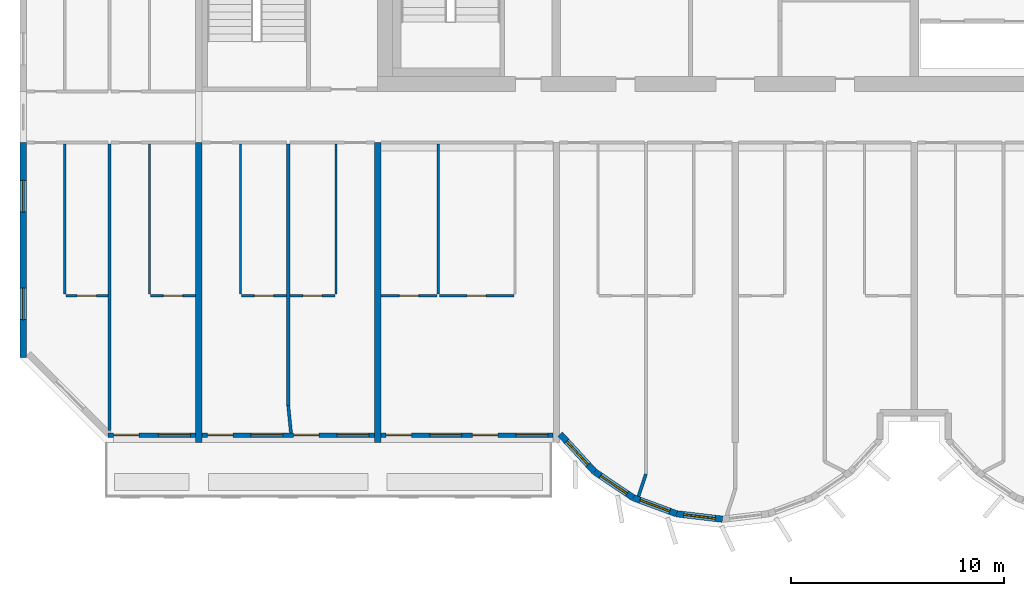
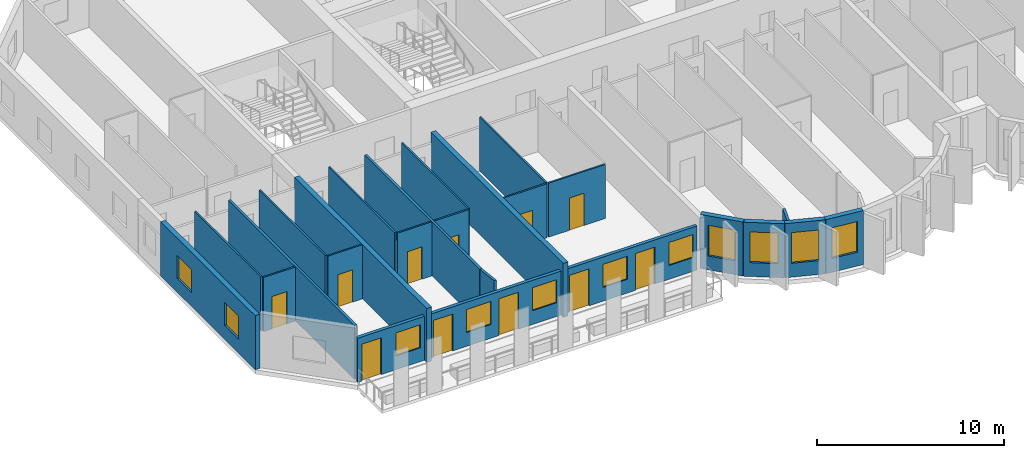
# One storey, part 2 of 13: 25 walls, 11 doors, 11 windows, 22 openings.
"""IFC4 building model written with IfcOpenShell, lengths in metres."""

from ifc_helpers import new_model, si_unit, direction, frame, frame_2d, origin, place, context, subcontext, project, spatial, rectangle, extrude, source, transform, mapped, material, layer, layer_set, type_object, element, fill, save


model = new_model("IFC4")

# Units and contexts
model_context = context("Model", 3, precision=1e-05, world=origin(), true_north=direction((0.0, 1.0)))
body_context = subcontext(model_context, "Body", "Model", "MODEL_VIEW")
ifc_project = project(units=[si_unit("LENGTHUNIT", "METRE"), si_unit("AREAUNIT", "SQUARE_METRE"), si_unit("VOLUMEUNIT", "CUBIC_METRE"), si_unit("PLANEANGLEUNIT", "RADIAN"), si_unit("MASSUNIT", "GRAM", prefix="KILO")], contexts=[model_context])

# Site, building, storey
site_placement = place(None, origin())
site = spatial("IfcSite", under=ifc_project, at=site_placement, CompositionType="ELEMENT")
building_placement = place(site_placement, origin())
building = spatial("IfcBuilding", under=site, at=building_placement, Name="Vanashikhar Sky Hotel", CompositionType="ELEMENT")
storey_placement = place(building_placement, frame((0.0, 0.0, 182.0)))
storey = spatial("IfcBuildingStorey", under=building, at=storey_placement, Name="L44", CompositionType="ELEMENT", Elevation=182.0)

# Wall, openings, windows
ifc_material_1 = material(Name="Concrete M60", Category="concrete")
ifc_layer_1 = layer(ifc_material_1, 0.300048828125)
ifc_layer_set_1 = layer_set([ifc_layer_1], Name="RC shear wall 300 Concrete M60")
wall_type_1 = type_object("IfcWallType", Name="RC shear wall 300 Concrete M60", PredefinedType="SHEAR", material=ifc_layer_set_1)
shared_shape_1 = source(origin(), body_context, "Body", "SweptSolid", [
    extrude(rectangle(XDim=10.10009765625, YDim=0.300048828125, at=frame_2d((5.050048828125, 0.0))), origin(), (0.0, 0.0, 1.0), 3.52001953125),
])
wall_1_placement = place(storey_placement, frame((8.550048828125, 9.5, 0.0), z_axis=(0.0, 0.0, 1.0), x_axis=(0.0, 1.0, 0.0)))
wall_1 = element("IfcWall", 1, at=wall_1_placement, inside=storey, type_object=wall_type_1, Name="CW-L44-XW02-1", PredefinedType="SHEAR", context=body_context, shape_type="MappedRepresentation", body=[
    mapped(shared_shape_1, transform((0.0, 0.0, 0.0), scale=1.0)),
])
shared_shape_2 = source(origin(), body_context, "Body", "SweptSolid", [
    extrude(rectangle(XDim=1.5, YDim=1.5, at=frame_2d((0.75, 0.75))), frame((0.0, 0.16015625, 0.0), z_axis=(0.0, -1.0, 0.0), x_axis=(1.0, 0.0, 0.0)), (0.0, 0.0, 1.0), 0.320068359375),
])
opening_1_placement = place(wall_1_placement, frame((1.77490234375, 0.0, 0.89990234375)))
opening_1 = element("IfcOpeningElement", 2, at=opening_1_placement, cuts=wall_1, Name="Opening WN-1", PredefinedType="OPENING", context=body_context, shape_type="MappedRepresentation", body=[
    mapped(shared_shape_2, transform((0.0, 0.0, 0.0), scale=1.0)),
])
opening_2_placement = place(wall_1_placement, frame((6.824951171875, 0.0, 0.89990234375)))
opening_2 = element("IfcOpeningElement", 3, at=opening_2_placement, cuts=wall_1, Name="Opening WN-1", PredefinedType="OPENING", context=body_context, shape_type="MappedRepresentation", body=[
    mapped(shared_shape_2, transform((0.0, 0.0, 0.0), scale=1.0)),
])
ifc_material_2 = material(Name="Glass", Category="glass")
window_type_1 = type_object("IfcWindowType", Name="Window 1500 x 1500", PartitioningType="SINGLE_PANEL", PredefinedType="WINDOW", material=ifc_material_2)
shared_shape_3 = source(origin(), body_context, "Body", "SweptSolid", [
    extrude(rectangle(XDim=1.5, YDim=1.5, at=frame_2d((0.75, 0.75))), frame((0.0, 0.030029296875, 0.0), z_axis=(0.0, -1.0, 0.0), x_axis=(1.0, 0.0, 0.0)), (0.0, 0.0, 1.0), 0.06005859375),
])
window_1_placement = place(opening_1_placement, origin())
window_1 = element("IfcWindow", 4, at=window_1_placement, inside=storey, type_object=window_type_1, Name="Window WN-1", OverallHeight=1.5, OverallWidth=1.5, PartitioningType="SINGLE_PANEL", PredefinedType="WINDOW", context=body_context, shape_type="MappedRepresentation", body=[
    mapped(shared_shape_3, transform((0.0, 0.0, 0.0), scale=1.0)),
])
fill(opening_1, window_1)
window_2_placement = place(opening_2_placement, origin())
window_2 = element("IfcWindow", 5, at=window_2_placement, inside=storey, type_object=window_type_1, Name="Window WN-1", OverallHeight=1.5, OverallWidth=1.5, PartitioningType="SINGLE_PANEL", PredefinedType="WINDOW", context=body_context, shape_type="MappedRepresentation", body=[
    mapped(shared_shape_3, transform((0.0, 0.0, 0.0), scale=1.0)),
])
fill(opening_2, window_2)

# Walls
shared_shape_4 = source(origin(), body_context, "Body", "SweptSolid", [
    extrude(rectangle(XDim=14.10009765625, YDim=0.300048828125, at=frame_2d((7.050048828125, 0.0))), origin(), (0.0, 0.0, 1.0), 3.52001953125),
])
for number, where, z_axis, x_axis, name in (
    (6, (16.800048828125, 5.5, 0.0), (0.0, 0.0, 1.0), (0.0, 1.0, 0.0), "CW-L44-XW03-1"),
    (7, (25.199951171875, 5.5, 0.0), (0.0, 0.0, 1.0), (0.0, 1.0, 0.0), "CW-L44-XW04-1"),
):
    element("IfcWall", number, at=place(storey_placement, frame(where, z_axis=z_axis, x_axis=x_axis)), inside=storey, type_object=wall_type_1, Name=name, PredefinedType="SHEAR", context=body_context, shape_type="MappedRepresentation", body=[
        mapped(shared_shape_4, transform((0.0, 0.0, 0.0), scale=1.0)),
    ])

# Wall, opening, window
ifc_material_3 = material(Name="Concrete M50", Category="concrete")
ifc_layer_2 = layer(ifc_material_3, 0.300048828125)
ifc_layer_set_2 = layer_set([ifc_layer_2], Name="Lobe wall 300")
wall_type_2 = type_object("IfcWallType", Name="Lobe wall 300", PredefinedType="SOLIDWALL", material=ifc_layer_set_2)
shared_shape_5 = source(origin(), body_context, "Body", "SweptSolid", [
    extrude(rectangle(XDim=2.398193359375, YDim=0.300048828125, at=frame_2d((1.19921875, 0.0))), origin(), (0.0, 0.0, 1.0), 3.52001953125),
])
wall_2_placement = place(storey_placement, frame((33.776123046875, 5.89990234375, 0.0), z_axis=(0.0, 0.0, 1.0), x_axis=(0.675374189419, -0.737475222815, 0.0)))
wall_2 = element("IfcWall", 8, at=wall_2_placement, inside=storey, type_object=wall_type_2, Name="Lobe wall", PredefinedType="SOLIDWALL", context=body_context, shape_type="MappedRepresentation", body=[
    mapped(shared_shape_5, transform((0.0, 0.0, 0.0), scale=1.0)),
])
shared_shape_6 = source(origin(), body_context, "Body", "SweptSolid", [
    extrude(rectangle(XDim=1.5, YDim=2.0, at=frame_2d((0.75, 1.0))), frame((0.0, 0.16015625, 0.0), z_axis=(0.0, -1.0, 0.0), x_axis=(1.0, 0.0, 0.0)), (0.0, 0.0, 1.0), 0.320068359375),
])
opening_3_placement = place(wall_2_placement, frame((0.44921875, 0.0, 0.89990234375)))
opening_3 = element("IfcOpeningElement", 9, at=opening_3_placement, cuts=wall_2, Name="Opening WN-2", PredefinedType="OPENING", context=body_context, shape_type="MappedRepresentation", body=[
    mapped(shared_shape_6, transform((0.0, 0.0, 0.0), scale=1.0)),
])
window_type_2 = type_object("IfcWindowType", Name="Lobe window 1500 x 2000", PartitioningType="SINGLE_PANEL", PredefinedType="WINDOW", material=ifc_material_2)
shared_shape_7 = source(origin(), body_context, "Body", "SweptSolid", [
    extrude(rectangle(XDim=1.5, YDim=2.0, at=frame_2d((0.75, 1.0))), frame((0.0, 0.030029296875, 0.0), z_axis=(0.0, -1.0, 0.0), x_axis=(1.0, 0.0, 0.0)), (0.0, 0.0, 1.0), 0.06005859375),
])
window_3_placement = place(opening_3_placement, origin())
window_3 = element("IfcWindow", 10, at=window_3_placement, inside=storey, type_object=window_type_2, Name="Window WN-2", OverallHeight=2.0, OverallWidth=1.5, PartitioningType="SINGLE_PANEL", PredefinedType="WINDOW", context=body_context, shape_type="MappedRepresentation", body=[
    mapped(shared_shape_7, transform((0.0, 0.0, 0.0), scale=1.0)),
])
fill(opening_3, window_3)

shared_shape_8 = source(origin(), body_context, "Body", "SweptSolid", [
    extrude(rectangle(XDim=2.17578125, YDim=0.300048828125, at=frame_2d((1.087890625, 0.0))), origin(), (0.0, 0.0, 1.0), 3.52001953125),
])
wall_3_placement = place(storey_placement, frame((35.395751953125, 4.13134765625, 0.0), z_axis=(0.0, 0.0, 1.0), x_axis=(0.829590746428, -0.558371913192, 0.0)))
wall_3 = element("IfcWall", 11, at=wall_3_placement, inside=storey, type_object=wall_type_2, Name="Lobe wall", PredefinedType="SOLIDWALL", context=body_context, shape_type="MappedRepresentation", body=[
    mapped(shared_shape_8, transform((0.0, 0.0, 0.0), scale=1.0)),
])
opening_4_placement = place(wall_3_placement, frame((0.337890625, 0.0, 0.89990234375)))
opening_4 = element("IfcOpeningElement", 12, at=opening_4_placement, cuts=wall_3, Name="Opening WN-2", PredefinedType="OPENING", context=body_context, shape_type="MappedRepresentation", body=[
    mapped(shared_shape_6, transform((0.0, 0.0, 0.0), scale=1.0)),
])
window_4_placement = place(opening_4_placement, origin())
window_4 = element("IfcWindow", 13, at=window_4_placement, inside=storey, type_object=window_type_2, Name="Window WN-2", OverallHeight=2.0, OverallWidth=1.5, PartitioningType="SINGLE_PANEL", PredefinedType="WINDOW", context=body_context, shape_type="MappedRepresentation", body=[
    mapped(shared_shape_7, transform((0.0, 0.0, 0.0), scale=1.0)),
])
fill(opening_4, window_4)

wall_4_placement = place(storey_placement, frame((37.20068359375, 2.91650390625, 0.0), z_axis=(0.0, 0.0, 1.0), x_axis=(0.93754555999, -0.347862505801, 0.0)))
wall_4 = element("IfcWall", 14, at=wall_4_placement, inside=storey, type_object=wall_type_2, Name="Lobe wall", PredefinedType="SOLIDWALL", context=body_context, shape_type="MappedRepresentation", body=[
    mapped(shared_shape_8, transform((0.0, 0.0, 0.0), scale=1.0)),
])
opening_5_placement = place(wall_4_placement, frame((0.337890625, 0.0, 0.89990234375)))
opening_5 = element("IfcOpeningElement", 15, at=opening_5_placement, cuts=wall_4, Name="Opening WN-2", PredefinedType="OPENING", context=body_context, shape_type="MappedRepresentation", body=[
    mapped(shared_shape_6, transform((0.0, 0.0, 0.0), scale=1.0)),
])
window_5_placement = place(opening_5_placement, origin())
window_5 = element("IfcWindow", 16, at=window_5_placement, inside=storey, type_object=window_type_2, Name="Window WN-2", OverallHeight=2.0, OverallWidth=1.5, PartitioningType="SINGLE_PANEL", PredefinedType="WINDOW", context=body_context, shape_type="MappedRepresentation", body=[
    mapped(shared_shape_7, transform((0.0, 0.0, 0.0), scale=1.0)),
])
fill(opening_5, window_5)

shared_shape_9 = source(origin(), body_context, "Body", "SweptSolid", [
    extrude(rectangle(XDim=2.174560546875, YDim=0.300048828125, at=frame_2d((1.08740234375, 0.0))), origin(), (0.0, 0.0, 1.0), 3.52001953125),
])
wall_5_placement = place(storey_placement, frame((39.240478515625, 2.15966796875, 0.0), z_axis=(0.0, 0.0, 1.0), x_axis=(0.993001132889, -0.118104826659, 0.0)))
wall_5 = element("IfcWall", 17, at=wall_5_placement, inside=storey, type_object=wall_type_2, Name="Lobe wall", PredefinedType="SOLIDWALL", context=body_context, shape_type="MappedRepresentation", body=[
    mapped(shared_shape_9, transform((0.0, 0.0, 0.0), scale=1.0)),
])
opening_6_placement = place(wall_5_placement, frame((0.33740234375, 0.0, 0.89990234375)))
opening_6 = element("IfcOpeningElement", 18, at=opening_6_placement, cuts=wall_5, Name="Opening WN-2", PredefinedType="OPENING", context=body_context, shape_type="MappedRepresentation", body=[
    mapped(shared_shape_6, transform((0.0, 0.0, 0.0), scale=1.0)),
])
window_6_placement = place(opening_6_placement, origin())
window_6 = element("IfcWindow", 19, at=window_6_placement, inside=storey, type_object=window_type_2, Name="Window WN-2", OverallHeight=2.0, OverallWidth=1.5, PartitioningType="SINGLE_PANEL", PredefinedType="WINDOW", context=body_context, shape_type="MappedRepresentation", body=[
    mapped(shared_shape_7, transform((0.0, 0.0, 0.0), scale=1.0)),
])
fill(opening_6, window_6)

# Wall, openings, window, door
ifc_layer_3 = layer(ifc_material_3, 0.199951171875)
ifc_layer_set_3 = layer_set([ifc_layer_3], Name="Front window wall 200")
wall_type_3 = type_object("IfcWallType", Name="Front window wall 200", PredefinedType="SOLIDWALL", material=ifc_layer_set_3)
shared_shape_10 = source(origin(), body_context, "Body", "SweptSolid", [
    extrude(rectangle(XDim=4.10498046875, YDim=0.199951171875, at=frame_2d((2.052490234375, 0.0))), origin(), (0.0, 0.0, 1.0), 2.8701171875),
])
wall_6_placement = place(storey_placement, frame((12.544921875, 5.85009765625, 0.0), z_axis=(0.0, 0.0, 1.0), x_axis=(1.0, 0.0, 0.0)))
wall_6 = element("IfcWall", 20, at=wall_6_placement, inside=storey, type_object=wall_type_3, Name="Front window wall", PredefinedType="SOLIDWALL", context=body_context, shape_type="MappedRepresentation", body=[
    mapped(shared_shape_10, transform((0.0, 0.0, 0.0), scale=1.0)),
])
shared_shape_11 = source(origin(), body_context, "Body", "SweptSolid", [
    extrude(rectangle(XDim=1.199951171875, YDim=2.39990234375, at=frame_2d((0.60009765625, 1.199951171875))), frame((0.0, 0.10986328125, 0.0), z_axis=(0.0, -1.0, 0.0), x_axis=(1.0, 0.0, 0.0)), (0.0, 0.0, 1.0), 0.219970703125),
])
opening_7_placement = place(wall_6_placement, frame((0.25, 0.0, 0.0)))
opening_7 = element("IfcOpeningElement", 21, at=opening_7_placement, cuts=wall_6, Name="Opening BD-01", PredefinedType="OPENING", context=body_context, shape_type="MappedRepresentation", body=[
    mapped(shared_shape_11, transform((0.0, 0.0, 0.0), scale=1.0)),
])
shared_shape_12 = source(origin(), body_context, "Body", "SweptSolid", [
    extrude(rectangle(XDim=1.5, YDim=1.5, at=frame_2d((0.75, 0.75))), frame((0.0, 0.10986328125, 0.0), z_axis=(0.0, -1.0, 0.0), x_axis=(1.0, 0.0, 0.0)), (0.0, 0.0, 1.0), 0.219970703125),
])
opening_8_placement = place(wall_6_placement, frame((2.35498046875, 0.0, 0.89990234375)))
opening_8 = element("IfcOpeningElement", 22, at=opening_8_placement, cuts=wall_6, Name="Opening WN-1", PredefinedType="OPENING", context=body_context, shape_type="MappedRepresentation", body=[
    mapped(shared_shape_12, transform((0.0, 0.0, 0.0), scale=1.0)),
])
window_7_placement = place(opening_8_placement, origin())
window_7 = element("IfcWindow", 23, at=window_7_placement, inside=storey, type_object=window_type_1, Name="Window WN-1", OverallHeight=1.5, OverallWidth=1.5, PartitioningType="SINGLE_PANEL", PredefinedType="WINDOW", context=body_context, shape_type="MappedRepresentation", body=[
    mapped(shared_shape_3, transform((0.0, 0.0, 0.0), scale=1.0)),
])
fill(opening_8, window_7)
ifc_material_4 = material(Name="Aluminium", Category="aluminium")
door_type_1 = type_object("IfcDoorType", Name="Balcony sliding door 1200 x 2400", OperationType="NOTDEFINED", PredefinedType="DOOR", material=ifc_material_4)
shared_shape_13 = source(origin(), body_context, "Body", "SweptSolid", [
    extrude(rectangle(XDim=1.199951171875, YDim=2.39990234375, at=frame_2d((0.60009765625, 1.199951171875))), frame((0.0, 0.02490234375, 0.0), z_axis=(0.0, -1.0, 0.0), x_axis=(1.0, 0.0, 0.0)), (0.0, 0.0, 1.0), 0.050048828125),
])
door_1_placement = place(opening_7_placement, origin())
door_1 = element("IfcDoor", 24, at=door_1_placement, inside=storey, type_object=door_type_1, Name="Balcony sliding door", OperationType="SLIDING_TO_LEFT", OverallHeight=2.39990234375, OverallWidth=1.199951171875, PredefinedType="DOOR", context=body_context, shape_type="MappedRepresentation", body=[
    mapped(shared_shape_13, transform((0.0, 0.0, 0.0), scale=1.0)),
])
fill(opening_7, door_1)

# Wall, openings, windows, doors
shared_shape_14 = source(origin(), body_context, "Body", "SweptSolid", [
    extrude(rectangle(XDim=8.10009765625, YDim=0.199951171875, at=frame_2d((4.050048828125, 0.0))), origin(), (0.0, 0.0, 1.0), 2.8701171875),
])
wall_7_placement = place(storey_placement, frame((16.949951171875, 5.85009765625, 0.0), z_axis=(0.0, 0.0, 1.0), x_axis=(1.0, 0.0, 0.0)))
wall_7 = element("IfcWall", 25, at=wall_7_placement, inside=storey, type_object=wall_type_3, Name="Front window wall", PredefinedType="SOLIDWALL", context=body_context, shape_type="MappedRepresentation", body=[
    mapped(shared_shape_14, transform((0.0, 0.0, 0.0), scale=1.0)),
])
opening_9_placement = place(wall_7_placement, frame((0.25, 0.0, 0.0)))
opening_9 = element("IfcOpeningElement", 26, at=opening_9_placement, cuts=wall_7, Name="Opening BD-02", PredefinedType="OPENING", context=body_context, shape_type="MappedRepresentation", body=[
    mapped(shared_shape_11, transform((0.0, 0.0, 0.0), scale=1.0)),
])
opening_10_placement = place(wall_7_placement, frame((2.300048828125, 0.0, 0.89990234375)))
opening_10 = element("IfcOpeningElement", 27, at=opening_10_placement, cuts=wall_7, Name="Opening WN-1", PredefinedType="OPENING", context=body_context, shape_type="MappedRepresentation", body=[
    mapped(shared_shape_12, transform((0.0, 0.0, 0.0), scale=1.0)),
])
opening_11_placement = place(wall_7_placement, frame((4.300048828125, 0.0, 0.0)))
opening_11 = element("IfcOpeningElement", 28, at=opening_11_placement, cuts=wall_7, Name="Opening BD-03", PredefinedType="OPENING", context=body_context, shape_type="MappedRepresentation", body=[
    mapped(shared_shape_11, transform((0.0, 0.0, 0.0), scale=1.0)),
])
opening_12_placement = place(wall_7_placement, frame((6.35009765625, 0.0, 0.89990234375)))
opening_12 = element("IfcOpeningElement", 29, at=opening_12_placement, cuts=wall_7, Name="Opening WN-1", PredefinedType="OPENING", context=body_context, shape_type="MappedRepresentation", body=[
    mapped(shared_shape_12, transform((0.0, 0.0, 0.0), scale=1.0)),
])
window_8_placement = place(opening_10_placement, origin())
window_8 = element("IfcWindow", 30, at=window_8_placement, inside=storey, type_object=window_type_1, Name="Window WN-1", OverallHeight=1.5, OverallWidth=1.5, PartitioningType="SINGLE_PANEL", PredefinedType="WINDOW", context=body_context, shape_type="MappedRepresentation", body=[
    mapped(shared_shape_3, transform((0.0, 0.0, 0.0), scale=1.0)),
])
fill(opening_10, window_8)
window_9_placement = place(opening_12_placement, origin())
window_9 = element("IfcWindow", 31, at=window_9_placement, inside=storey, type_object=window_type_1, Name="Window WN-1", OverallHeight=1.5, OverallWidth=1.5, PartitioningType="SINGLE_PANEL", PredefinedType="WINDOW", context=body_context, shape_type="MappedRepresentation", body=[
    mapped(shared_shape_3, transform((0.0, 0.0, 0.0), scale=1.0)),
])
fill(opening_12, window_9)
door_2_placement = place(opening_9_placement, origin())
door_2 = element("IfcDoor", 32, at=door_2_placement, inside=storey, type_object=door_type_1, Name="Balcony sliding door", OperationType="SLIDING_TO_RIGHT", OverallHeight=2.39990234375, OverallWidth=1.199951171875, PredefinedType="DOOR", context=body_context, shape_type="MappedRepresentation", body=[
    mapped(shared_shape_13, transform((0.0, 0.0, 0.0), scale=1.0)),
])
fill(opening_9, door_2)
door_3_placement = place(opening_11_placement, origin())
door_3 = element("IfcDoor", 33, at=door_3_placement, inside=storey, type_object=door_type_1, Name="Balcony sliding door", OperationType="SLIDING_TO_LEFT", OverallHeight=2.39990234375, OverallWidth=1.199951171875, PredefinedType="DOOR", context=body_context, shape_type="MappedRepresentation", body=[
    mapped(shared_shape_13, transform((0.0, 0.0, 0.0), scale=1.0)),
])
fill(opening_11, door_3)

shared_shape_15 = source(origin(), body_context, "Body", "SweptSolid", [
    extrude(rectangle(XDim=8.099853515625, YDim=0.199951171875, at=frame_2d((4.0498046875, 0.0))), origin(), (0.0, 0.0, 1.0), 2.8701171875),
])
wall_8_placement = place(storey_placement, frame((25.35009765625, 5.85009765625, 0.0), z_axis=(0.0, 0.0, 1.0), x_axis=(1.0, 0.0, 0.0)))
wall_8 = element("IfcWall", 34, at=wall_8_placement, inside=storey, type_object=wall_type_3, Name="Front window wall", PredefinedType="SOLIDWALL", context=body_context, shape_type="MappedRepresentation", body=[
    mapped(shared_shape_15, transform((0.0, 0.0, 0.0), scale=1.0)),
])
opening_13_placement = place(wall_8_placement, frame((0.25, 0.0, 0.0)))
opening_13 = element("IfcOpeningElement", 35, at=opening_13_placement, cuts=wall_8, Name="Opening BD-04", PredefinedType="OPENING", context=body_context, shape_type="MappedRepresentation", body=[
    mapped(shared_shape_11, transform((0.0, 0.0, 0.0), scale=1.0)),
])
opening_14_placement = place(wall_8_placement, frame((2.300048828125, 0.0, 0.89990234375)))
opening_14 = element("IfcOpeningElement", 36, at=opening_14_placement, cuts=wall_8, Name="Opening WN-1", PredefinedType="OPENING", context=body_context, shape_type="MappedRepresentation", body=[
    mapped(shared_shape_12, transform((0.0, 0.0, 0.0), scale=1.0)),
])
opening_15_placement = place(wall_8_placement, frame((4.300048828125, 0.0, 0.0)))
opening_15 = element("IfcOpeningElement", 37, at=opening_15_placement, cuts=wall_8, Name="Opening BD-05", PredefinedType="OPENING", context=body_context, shape_type="MappedRepresentation", body=[
    mapped(shared_shape_11, transform((0.0, 0.0, 0.0), scale=1.0)),
])
opening_16_placement = place(wall_8_placement, frame((6.35009765625, 0.0, 0.89990234375)))
opening_16 = element("IfcOpeningElement", 38, at=opening_16_placement, cuts=wall_8, Name="Opening WN-1", PredefinedType="OPENING", context=body_context, shape_type="MappedRepresentation", body=[
    mapped(shared_shape_12, transform((0.0, 0.0, 0.0), scale=1.0)),
])
window_10_placement = place(opening_14_placement, origin())
window_10 = element("IfcWindow", 39, at=window_10_placement, inside=storey, type_object=window_type_1, Name="Window WN-1", OverallHeight=1.5, OverallWidth=1.5, PartitioningType="SINGLE_PANEL", PredefinedType="WINDOW", context=body_context, shape_type="MappedRepresentation", body=[
    mapped(shared_shape_3, transform((0.0, 0.0, 0.0), scale=1.0)),
])
fill(opening_14, window_10)
window_11_placement = place(opening_16_placement, origin())
window_11 = element("IfcWindow", 40, at=window_11_placement, inside=storey, type_object=window_type_1, Name="Window WN-1", OverallHeight=1.5, OverallWidth=1.5, PartitioningType="SINGLE_PANEL", PredefinedType="WINDOW", context=body_context, shape_type="MappedRepresentation", body=[
    mapped(shared_shape_3, transform((0.0, 0.0, 0.0), scale=1.0)),
])
fill(opening_16, window_11)
door_4_placement = place(opening_13_placement, origin())
door_4 = element("IfcDoor", 41, at=door_4_placement, inside=storey, type_object=door_type_1, Name="Balcony sliding door", OperationType="SLIDING_TO_RIGHT", OverallHeight=2.39990234375, OverallWidth=1.199951171875, PredefinedType="DOOR", context=body_context, shape_type="MappedRepresentation", body=[
    mapped(shared_shape_13, transform((0.0, 0.0, 0.0), scale=1.0)),
])
fill(opening_13, door_4)
door_5_placement = place(opening_15_placement, origin())
door_5 = element("IfcDoor", 42, at=door_5_placement, inside=storey, type_object=door_type_1, Name="Balcony sliding door", OperationType="SLIDING_TO_LEFT", OverallHeight=2.39990234375, OverallWidth=1.199951171875, PredefinedType="DOOR", context=body_context, shape_type="MappedRepresentation", body=[
    mapped(shared_shape_13, transform((0.0, 0.0, 0.0), scale=1.0)),
])
fill(opening_15, door_5)

# Walls
ifc_material_5 = material(Name="Gypsum plasterboard partition")
ifc_layer_4 = layer(ifc_material_5, 0.10009765625)
ifc_layer_set_4 = layer_set([ifc_layer_4], Name="Wet room partition 100")
wall_type_4 = type_object("IfcWallType", Name="Wet room partition 100", PredefinedType="PARTITIONING", material=ifc_layer_set_4)
shared_shape_16 = source(origin(), body_context, "Body", "SweptSolid", [
    extrude(rectangle(XDim=7.0498046875, YDim=0.10009765625, at=frame_2d((3.52490234375, 0.0))), origin(), (0.0, 0.0, 1.0), 3.52001953125),
])
for number, where, z_axis, x_axis, name in (
    (43, (10.5, 12.47509765625, 0.0), (0.0, 0.0, 1.0), (0.0, 1.0, 0.0), "W-L44-PW001"),
    (44, (14.47509765625, 12.47509765625, 0.0), (0.0, 0.0, 1.0), (0.0, 1.0, 0.0), "W-L44-PW004"),
    (45, (18.75, 12.47509765625, 0.0), (0.0, 0.0, 1.0), (0.0, 1.0, 0.0), "W-L44-PW008"),
    (46, (23.25, 12.47509765625, 0.0), (0.0, 0.0, 1.0), (0.0, 1.0, 0.0), "W-L44-PW011"),
    (47, (28.050048828125, 12.47509765625, 0.0), (0.0, 0.0, 1.0), (0.0, 1.0, 0.0), "W-L44-PW016"),
):
    element("IfcWall", number, at=place(storey_placement, frame(where, z_axis=z_axis, x_axis=x_axis)), inside=storey, type_object=wall_type_4, Name=name, PredefinedType="PARTITIONING", context=body_context, shape_type="MappedRepresentation", body=[
        mapped(shared_shape_16, transform((0.0, 0.0, 0.0), scale=1.0)),
    ])

# Wall, opening, door
shared_shape_17 = source(origin(), body_context, "Body", "SweptSolid", [
    extrude(rectangle(XDim=3.5, YDim=0.10009765625, at=frame_2d((1.75, 0.0))), origin(), (0.0, 0.0, 1.0), 3.52001953125),
])
wall_9_placement = place(storey_placement, frame((28.10009765625, 12.39990234375, 0.0), z_axis=(0.0, 0.0, 1.0), x_axis=(1.0, 0.0, 0.0)))
wall_9 = element("IfcWall", 48, at=wall_9_placement, inside=storey, type_object=wall_type_4, Name="W-L44-PW017", PredefinedType="PARTITIONING", context=body_context, shape_type="MappedRepresentation", body=[
    mapped(shared_shape_17, transform((0.0, 0.0, 0.0), scale=1.0)),
])
shared_shape_18 = source(origin(), body_context, "Body", "SweptSolid", [
    extrude(rectangle(XDim=0.89990234375, YDim=2.10009765625, at=frame_2d((0.449951171875, 1.050048828125))), frame((0.0, 0.06005859375, 0.0), z_axis=(0.0, -1.0, 0.0), x_axis=(1.0, 0.0, 0.0)), (0.0, 0.0, 1.0), 0.1201171875),
])
opening_17_placement = place(wall_9_placement, frame((1.300048828125, 0.0, 0.0)))
opening_17 = element("IfcOpeningElement", 49, at=opening_17_placement, cuts=wall_9, Name="Opening D-02", PredefinedType="OPENING", context=body_context, shape_type="MappedRepresentation", body=[
    mapped(shared_shape_18, transform((0.0, 0.0, 0.0), scale=1.0)),
])
ifc_material_6 = material(Name="Timber door", Category="wood")
door_type_2 = type_object("IfcDoorType", Name="Internal door 900", OperationType="NOTDEFINED", PredefinedType="DOOR", material=ifc_material_6)
shared_shape_19 = source(origin(), body_context, "Body", "SweptSolid", [
    extrude(rectangle(XDim=0.89990234375, YDim=2.10009765625, at=frame_2d((0.449951171875, 1.050048828125))), frame((0.0, 0.02490234375, 0.0), z_axis=(0.0, -1.0, 0.0), x_axis=(1.0, 0.0, 0.0)), (0.0, 0.0, 1.0), 0.050048828125),
])
door_6_placement = place(opening_17_placement, origin())
door_6 = element("IfcDoor", 50, at=door_6_placement, inside=storey, type_object=door_type_2, Name="D-L44-009", OperationType="SINGLE_SWING_RIGHT", OverallHeight=2.10009765625, OverallWidth=0.89990234375, PredefinedType="DOOR", context=body_context, shape_type="MappedRepresentation", body=[
    mapped(shared_shape_19, transform((0.0, 0.0, 0.0), scale=1.0)),
])
fill(opening_17, door_6)

# Walls
ifc_layer_5 = layer(ifc_material_5, 0.14990234375)
ifc_layer_set_5 = layer_set([ifc_layer_5], Name="Corridor and demising partition 150")
wall_type_5 = type_object("IfcWallType", Name="Corridor and demising partition 150", PredefinedType="PARTITIONING", material=ifc_layer_set_5)
shared_shape_20 = source(origin(), body_context, "Body", "SweptSolid", [
    extrude(rectangle(XDim=1.100830078125, YDim=0.14990234375, at=frame_2d((0.55029296875, 0.0))), origin(), (0.0, 0.0, 1.0), 3.52001953125),
])
wall_10_placement = place(storey_placement, frame((37.45703125, 2.98095703125, 0.0), z_axis=(0.0, 0.0, 1.0), x_axis=(0.311567081539, 0.950224159712, 0.0)))
element("IfcWall", 51, at=wall_10_placement, inside=storey, type_object=wall_type_5, Name="W-L44-PW026B0", PredefinedType="PARTITIONING", context=body_context, shape_type="MappedRepresentation", body=[
    mapped(shared_shape_20, transform((0.0, 0.0, 0.0), scale=1.0)),
])
shared_shape_21 = source(origin(), body_context, "Body", "SweptSolid", [
    extrude(rectangle(XDim=13.447021484375, YDim=0.14990234375, at=frame_2d((6.7236328125, 0.0))), origin(), (0.0, 0.0, 1.0), 3.52001953125),
])
wall_11_placement = place(storey_placement, frame((12.60009765625, 6.077880859375, 0.0), z_axis=(0.0, 0.0, 1.0), x_axis=(0.0, 1.0, 0.0)))
element("IfcWall", 52, at=wall_11_placement, inside=storey, type_object=wall_type_5, Name="W-L44-PW007", PredefinedType="PARTITIONING", context=body_context, shape_type="MappedRepresentation", body=[
    mapped(shared_shape_21, transform((0.0, 0.0, 0.0), scale=1.0)),
])
shared_shape_22 = source(origin(), body_context, "Body", "SweptSolid", [
    extrude(rectangle(XDim=12.27490234375, YDim=0.14990234375, at=frame_2d((6.137451171875, 0.0))), origin(), (0.0, 0.0, 1.0), 3.52001953125),
])
wall_12_placement = place(storey_placement, frame((21.0, 7.25, 0.0), z_axis=(0.0, 0.0, 1.0), x_axis=(0.0, 1.0, 0.0)))
element("IfcWall", 53, at=wall_12_placement, inside=storey, type_object=wall_type_5, Name="W-L44-PW014", PredefinedType="PARTITIONING", context=body_context, shape_type="MappedRepresentation", body=[
    mapped(shared_shape_22, transform((0.0, 0.0, 0.0), scale=1.0)),
])
shared_shape_23 = source(origin(), body_context, "Body", "SweptSolid", [
    extrude(rectangle(XDim=1.306640625, YDim=0.14990234375, at=frame_2d((0.6533203125, 0.0))), origin(), (0.0, 0.0, 1.0), 3.52001953125),
])
wall_13_placement = place(storey_placement, frame((21.1298828125, 5.949951171875, 0.0), z_axis=(0.0, 0.0, 1.0), x_axis=(-0.099411212066, 0.995046436562, 0.0)))
element("IfcWall", 54, at=wall_13_placement, inside=storey, type_object=wall_type_5, Name="W-L44-PW014B0", PredefinedType="PARTITIONING", context=body_context, shape_type="MappedRepresentation", body=[
    mapped(shared_shape_23, transform((0.0, 0.0, 0.0), scale=1.0)),
])

# Wall, opening, door
shared_shape_24 = source(origin(), body_context, "Body", "SweptSolid", [
    extrude(rectangle(XDim=2.125, YDim=0.10009765625, at=frame_2d((1.0625, 0.0))), origin(), (0.0, 0.0, 1.0), 3.52001953125),
])
wall_14_placement = place(storey_placement, frame((14.52490234375, 12.39990234375, 0.0), z_axis=(0.0, 0.0, 1.0), x_axis=(1.0, 0.0, 0.0)))
wall_14 = element("IfcWall", 55, at=wall_14_placement, inside=storey, type_object=wall_type_4, Name="W-L44-PW005", PredefinedType="PARTITIONING", context=body_context, shape_type="MappedRepresentation", body=[
    mapped(shared_shape_24, transform((0.0, 0.0, 0.0), scale=1.0)),
])
opening_18_placement = place(wall_14_placement, frame((0.612060546875, 0.0, 0.0)))
opening_18 = element("IfcOpeningElement", 56, at=opening_18_placement, cuts=wall_14, Name="Opening D-02", PredefinedType="OPENING", context=body_context, shape_type="MappedRepresentation", body=[
    mapped(shared_shape_18, transform((0.0, 0.0, 0.0), scale=1.0)),
])
door_7_placement = place(opening_18_placement, origin())
door_7 = element("IfcDoor", 57, at=door_7_placement, inside=storey, type_object=door_type_2, Name="D-L44-003", OperationType="SINGLE_SWING_LEFT", OverallHeight=2.10009765625, OverallWidth=0.89990234375, PredefinedType="DOOR", context=body_context, shape_type="MappedRepresentation", body=[
    mapped(shared_shape_19, transform((0.0, 0.0, 0.0), scale=1.0)),
])
fill(opening_18, door_7)

wall_15_placement = place(storey_placement, frame((18.800048828125, 12.39990234375, 0.0), z_axis=(0.0, 0.0, 1.0), x_axis=(1.0, 0.0, 0.0)))
wall_15 = element("IfcWall", 58, at=wall_15_placement, inside=storey, type_object=wall_type_4, Name="W-L44-PW009", PredefinedType="PARTITIONING", context=body_context, shape_type="MappedRepresentation", body=[
    mapped(shared_shape_24, transform((0.0, 0.0, 0.0), scale=1.0)),
])
opening_19_placement = place(wall_15_placement, frame((0.613037109375, 0.0, 0.0)))
opening_19 = element("IfcOpeningElement", 59, at=opening_19_placement, cuts=wall_15, Name="Opening D-02", PredefinedType="OPENING", context=body_context, shape_type="MappedRepresentation", body=[
    mapped(shared_shape_18, transform((0.0, 0.0, 0.0), scale=1.0)),
])
door_8_placement = place(opening_19_placement, origin())
door_8 = element("IfcDoor", 60, at=door_8_placement, inside=storey, type_object=door_type_2, Name="D-L44-005", OperationType="SINGLE_SWING_LEFT", OverallHeight=2.10009765625, OverallWidth=0.89990234375, PredefinedType="DOOR", context=body_context, shape_type="MappedRepresentation", body=[
    mapped(shared_shape_19, transform((0.0, 0.0, 0.0), scale=1.0)),
])
fill(opening_19, door_8)

wall_16_placement = place(storey_placement, frame((21.074951171875, 12.39990234375, 0.0), z_axis=(0.0, 0.0, 1.0), x_axis=(1.0, 0.0, 0.0)))
wall_16 = element("IfcWall", 61, at=wall_16_placement, inside=storey, type_object=wall_type_4, Name="W-L44-PW012", PredefinedType="PARTITIONING", context=body_context, shape_type="MappedRepresentation", body=[
    mapped(shared_shape_24, transform((0.0, 0.0, 0.0), scale=1.0)),
])
opening_20_placement = place(wall_16_placement, frame((0.613037109375, 0.0, 0.0)))
opening_20 = element("IfcOpeningElement", 62, at=opening_20_placement, cuts=wall_16, Name="Opening D-02", PredefinedType="OPENING", context=body_context, shape_type="MappedRepresentation", body=[
    mapped(shared_shape_18, transform((0.0, 0.0, 0.0), scale=1.0)),
])
door_9_placement = place(opening_20_placement, origin())
door_9 = element("IfcDoor", 63, at=door_9_placement, inside=storey, type_object=door_type_2, Name="D-L44-007", OperationType="SINGLE_SWING_RIGHT", OverallHeight=2.10009765625, OverallWidth=0.89990234375, PredefinedType="DOOR", context=body_context, shape_type="MappedRepresentation", body=[
    mapped(shared_shape_19, transform((0.0, 0.0, 0.0), scale=1.0)),
])
fill(opening_20, door_9)

shared_shape_25 = source(origin(), body_context, "Body", "SweptSolid", [
    extrude(rectangle(XDim=2.64990234375, YDim=0.10009765625, at=frame_2d((1.324951171875, 0.0))), origin(), (0.0, 0.0, 1.0), 3.52001953125),
])
wall_17_placement = place(storey_placement, frame((25.35009765625, 12.39990234375, 0.0), z_axis=(0.0, 0.0, 1.0), x_axis=(1.0, 0.0, 0.0)))
wall_17 = element("IfcWall", 64, at=wall_17_placement, inside=storey, type_object=wall_type_4, Name="W-L44-PW018", PredefinedType="PARTITIONING", context=body_context, shape_type="MappedRepresentation", body=[
    mapped(shared_shape_25, transform((0.0, 0.0, 0.0), scale=1.0)),
])
opening_21_placement = place(wall_17_placement, frame((0.875, 0.0, 0.0)))
opening_21 = element("IfcOpeningElement", 65, at=opening_21_placement, cuts=wall_17, Name="Opening D-02", PredefinedType="OPENING", context=body_context, shape_type="MappedRepresentation", body=[
    mapped(shared_shape_18, transform((0.0, 0.0, 0.0), scale=1.0)),
])
door_10_placement = place(opening_21_placement, origin())
door_10 = element("IfcDoor", 66, at=door_10_placement, inside=storey, type_object=door_type_2, Name="D-L44-010", OperationType="SINGLE_SWING_RIGHT", OverallHeight=2.10009765625, OverallWidth=0.89990234375, PredefinedType="DOOR", context=body_context, shape_type="MappedRepresentation", body=[
    mapped(shared_shape_19, transform((0.0, 0.0, 0.0), scale=1.0)),
])
fill(opening_21, door_10)

shared_shape_26 = source(origin(), body_context, "Body", "SweptSolid", [
    extrude(rectangle(XDim=1.974853515625, YDim=0.10009765625, at=frame_2d((0.9873046875, 0.0))), origin(), (0.0, 0.0, 1.0), 3.52001953125),
])
wall_18_placement = place(storey_placement, frame((10.550048828125, 12.39990234375, 0.0), z_axis=(0.0, 0.0, 1.0), x_axis=(1.0, 0.0, 0.0)))
wall_18 = element("IfcWall", 67, at=wall_18_placement, inside=storey, type_object=wall_type_4, Name="W-L44-PW002", PredefinedType="PARTITIONING", context=body_context, shape_type="MappedRepresentation", body=[
    mapped(shared_shape_26, transform((0.0, 0.0, 0.0), scale=1.0)),
])
opening_22_placement = place(wall_18_placement, frame((0.5380859375, 0.0, 0.0)))
opening_22 = element("IfcOpeningElement", 68, at=opening_22_placement, cuts=wall_18, Name="Opening D-02", PredefinedType="OPENING", context=body_context, shape_type="MappedRepresentation", body=[
    mapped(shared_shape_18, transform((0.0, 0.0, 0.0), scale=1.0)),
])
door_11_placement = place(opening_22_placement, origin())
door_11 = element("IfcDoor", 69, at=door_11_placement, inside=storey, type_object=door_type_2, Name="D-L44-001", OperationType="SINGLE_SWING_LEFT", OverallHeight=2.10009765625, OverallWidth=0.89990234375, PredefinedType="DOOR", context=body_context, shape_type="MappedRepresentation", body=[
    mapped(shared_shape_19, transform((0.0, 0.0, 0.0), scale=1.0)),
])
fill(opening_22, door_11)

save(model, "model.ifc")
